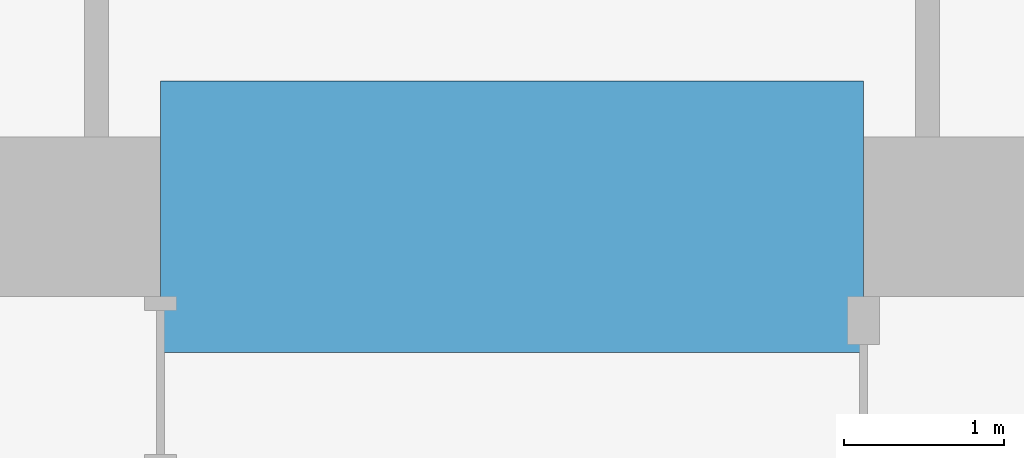
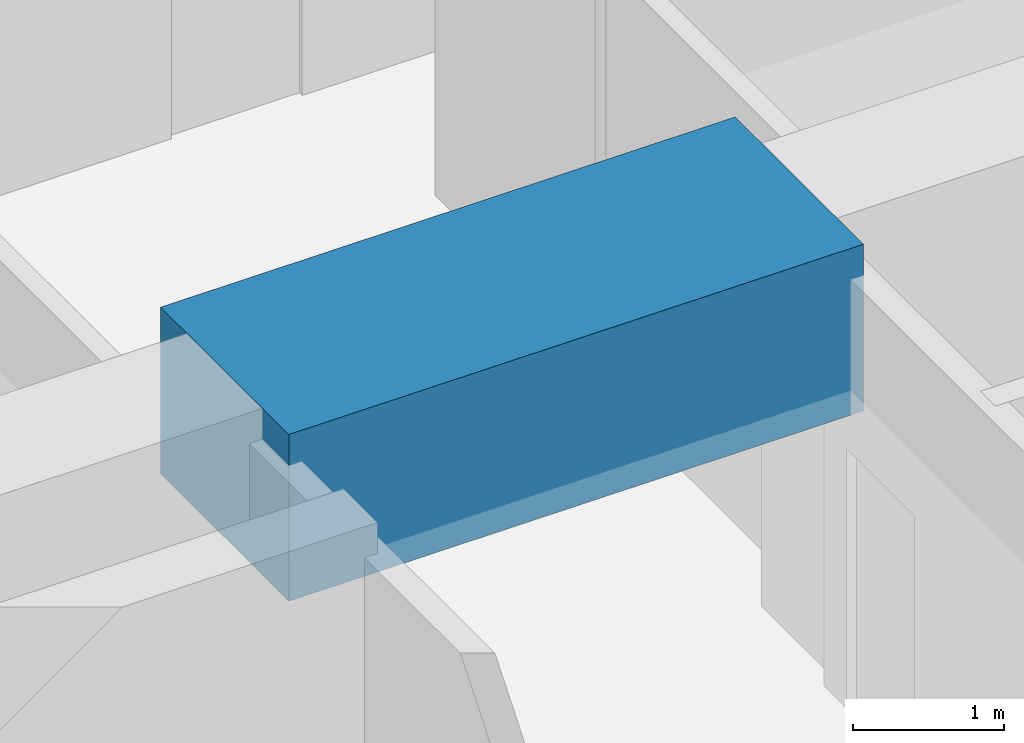
# One storey, part 18 of 39: 1 beam.
"""IFC4 building model written with IfcOpenShell, lengths in metres."""

from ifc_helpers import new_model, si_unit, direction, frame, origin, origin_2d, place, context, subcontext, project, spatial, rectangle, extrude, material, material_profile, profile_set, type_object, element, save


model = new_model("IFC4")

# Units and contexts
model_context = context("Model", 3, precision=1e-05, world=origin(), true_north=direction((0.0, 1.0)))
body_context = subcontext(model_context, "Body", "Model", "MODEL_VIEW")
ifc_project = project(units=[si_unit("LENGTHUNIT", "METRE"), si_unit("AREAUNIT", "SQUARE_METRE"), si_unit("VOLUMEUNIT", "CUBIC_METRE"), si_unit("PLANEANGLEUNIT", "RADIAN"), si_unit("MASSUNIT", "GRAM", prefix="KILO")], contexts=[model_context])

# Site, building, storey
site_placement = place(None, origin())
site = spatial("IfcSite", under=ifc_project, at=site_placement, CompositionType="ELEMENT")
building_placement = place(site_placement, origin())
building = spatial("IfcBuilding", under=site, at=building_placement, Name="Rekha Terrace Tower", CompositionType="ELEMENT")
storey_placement = place(building_placement, frame((0.0, 0.0, 155.300048828125)))
storey = spatial("IfcBuildingStorey", under=building, at=storey_placement, Name="L39", CompositionType="ELEMENT", Elevation=155.300048828125)

# Beam
ifc_material = material(Name="Concrete M70", Category="concrete")
ifc_material_profile = material_profile(ifc_material, rectangle(XDim=1.699951171875, YDim=1.35009765625, at=origin_2d()), Name="RC 1700x1350")
ifc_profile_set = profile_set([ifc_material_profile], Name="Concrete M70")
beam_type = type_object("IfcBeamType", Name="LB2A 1700x1350 diagonally reinforced coupling beam", PredefinedType="LINTEL", material=ifc_profile_set)
beam_placement = place(storey_placement, frame((35.60009765625, 46.199951171875, 3.074951171875), z_axis=(1.0, 0.0, 0.0), x_axis=(0.0, 1.0, 0.0)))
element("IfcBeam", 1, at=beam_placement, inside=storey, type_object=beam_type, Name="Coupling beam LB2A N L39", PredefinedType="LINTEL", context=body_context, shape_type="SweptSolid", body=[
    extrude(rectangle(XDim=1.699951171875, YDim=1.35009765625, at=origin_2d()), origin(), (0.0, 0.0, 1.0), 4.39990234375),
])

save(model, "model.ifc")
